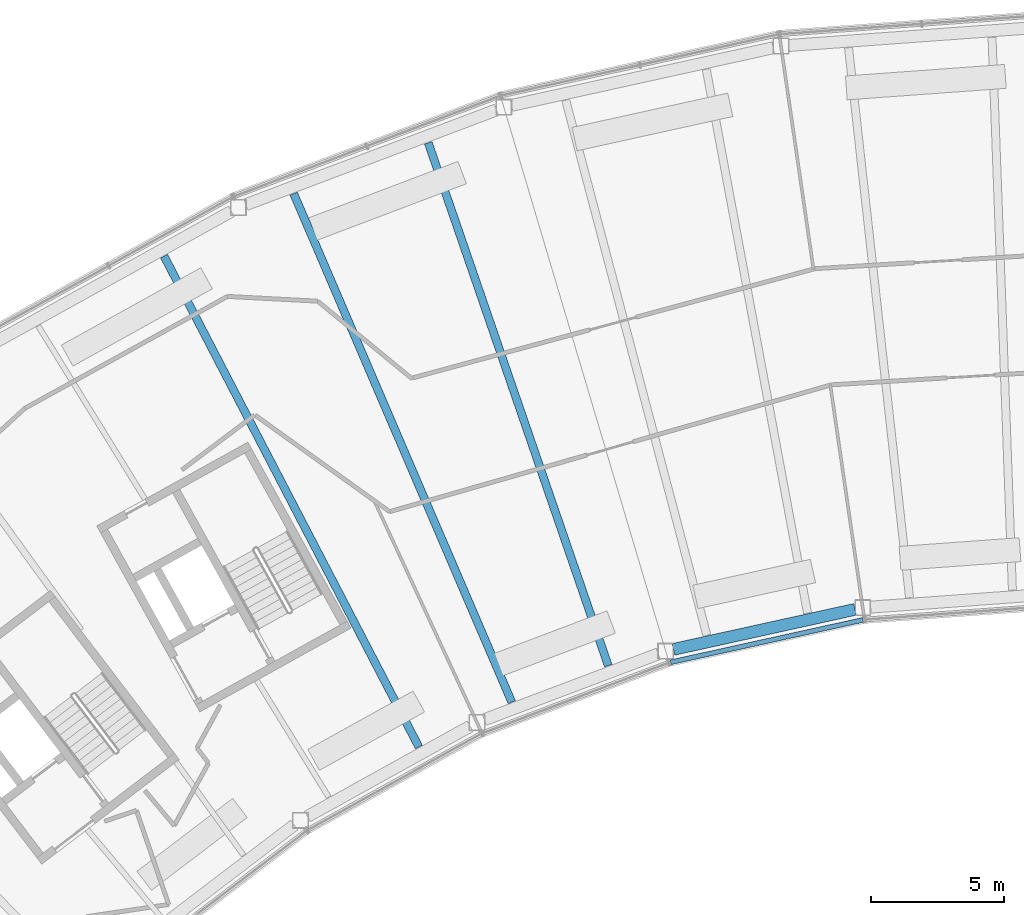
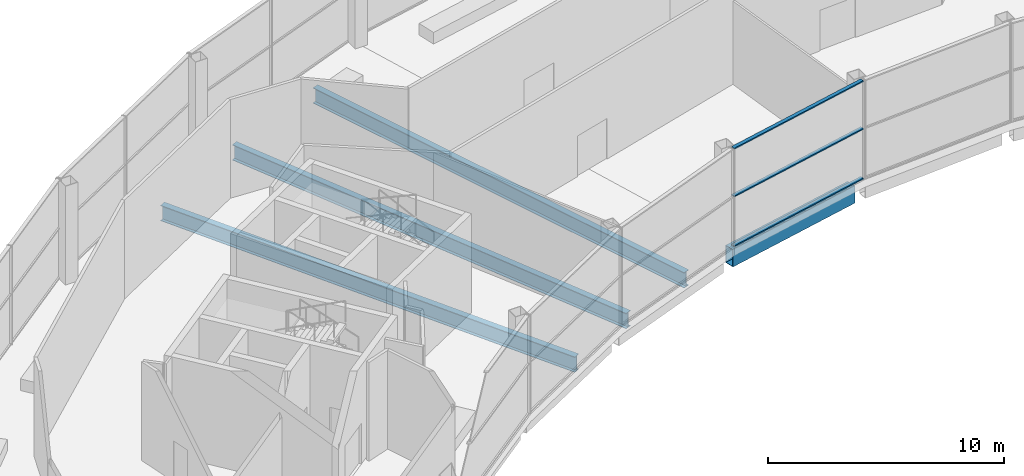
# One storey, part 12 of 43: 4 beams, 3 members, 1 element without a shape of its own.
"""IFC4 building model written with IfcOpenShell, lengths in metres."""

from ifc_helpers import new_model, si_unit, direction, frame, origin, origin_2d, place, context, subcontext, project, spatial, hollow_rectangle, i_section, extrude, material, layer, layer_set, material_profile, profile_set, type_object, element, aggregate, save


model = new_model("IFC4")

# Units and contexts
model_context = context("Model", 3, precision=1e-05, world=origin(), true_north=direction((0.0, 1.0)))
body_context = subcontext(model_context, "Body", "Model", "MODEL_VIEW")
ifc_project = project(units=[si_unit("LENGTHUNIT", "METRE"), si_unit("AREAUNIT", "SQUARE_METRE"), si_unit("VOLUMEUNIT", "CUBIC_METRE"), si_unit("PLANEANGLEUNIT", "RADIAN"), si_unit("MASSUNIT", "GRAM", prefix="KILO")], contexts=[model_context])

# Site, building, storey
site_placement = place(None, origin())
site = spatial("IfcSite", under=ifc_project, at=site_placement, CompositionType="ELEMENT")
building_placement = place(site_placement, origin())
building = spatial("IfcBuilding", under=site, at=building_placement, Name="Tuul Gate Civic Tower", CompositionType="ELEMENT")
storey_placement = place(building_placement, frame((0.0, 0.0, 349.10009765625)))
storey = spatial("IfcBuildingStorey", under=building, at=storey_placement, Name="Observation level 1", CompositionType="ELEMENT", Elevation=349.10009765625)

# Curtain wall, members
ifc_material_1 = material(Name="Stainless steel", Category="steel")
ifc_layer = layer(ifc_material_1, 0.199951171875)
ifc_layer_set = layer_set([ifc_layer], Name="Stainless steel")
curtain_wall_type = type_object("IfcCurtainWallType", Name="Curtain wall CW4", PredefinedType="NOTDEFINED", material=ifc_layer_set)
curtain_wall_placement = place(storey_placement, origin())
curtain_wall = element("IfcCurtainWall", 1, at=curtain_wall_placement, inside=storey, type_object=curtain_wall_type, Name="Curtain wall CW4", PredefinedType="NOTDEFINED")
ifc_material_2 = material(Name="Stainless steel", Category="steel")
ifc_material_profile_1 = material_profile(ifc_material_2, hollow_rectangle(XDim=0.179931640625, YDim=0.06005859375, WallThickness=0.006103515625, at=origin_2d()), Name="CW4 transom")
ifc_profile_set_1 = profile_set([ifc_material_profile_1], Name="Stainless steel")
member_type = type_object("IfcMemberType", Name="CW4 transom", PredefinedType="USERDEFINED", material=ifc_profile_set_1)
member_1_placement = place(storey_placement, frame((-12.6064453125, -10.130126953125, 0.02978515625), z_axis=(0.976559448931, 0.215247863414, 0.0), x_axis=(-0.215247863414, 0.976559448931, 0.0)))
member_1 = element("IfcMember", 2, at=member_1_placement, type_object=member_type, Name="Transom", ObjectType="TRANSOM", PredefinedType="USERDEFINED", context=body_context, shape_type="SweptSolid", body=[
    extrude(hollow_rectangle(XDim=0.179931640625, YDim=0.06005859375, WallThickness=0.006103515625, at=origin_2d()), origin(), (0.0, 0.0, 1.0), 7.406494140625),
])
member_2_placement = place(storey_placement, frame((-12.6064453125, -10.130126953125, 2.599853515625), z_axis=(0.976559448931, 0.215247863414, 0.0), x_axis=(-0.215247863414, 0.976559448931, 0.0)))
member_2 = element("IfcMember", 3, at=member_2_placement, type_object=member_type, Name="Transom", ObjectType="TRANSOM", PredefinedType="USERDEFINED", context=body_context, shape_type="SweptSolid", body=[
    extrude(hollow_rectangle(XDim=0.179931640625, YDim=0.06005859375, WallThickness=0.006103515625, at=origin_2d()), origin(), (0.0, 0.0, 1.0), 7.406494140625),
])
member_3_placement = place(storey_placement, frame((-12.6064453125, -10.130126953125, 5.06982421875), z_axis=(0.976559448931, 0.215247863414, 0.0), x_axis=(-0.215247863414, 0.976559448931, 0.0)))
member_3 = element("IfcMember", 4, at=member_3_placement, type_object=member_type, Name="Transom", ObjectType="TRANSOM", PredefinedType="USERDEFINED", context=body_context, shape_type="SweptSolid", body=[
    extrude(hollow_rectangle(XDim=0.179931640625, YDim=0.06005859375, WallThickness=0.006103515625, at=origin_2d()), origin(), (0.0, 0.0, 1.0), 7.406494140625),
])
aggregate(curtain_wall, [member_1, member_2, member_3])

# Beams
ifc_material_3 = material(Name="Steel S355", Category="steel")
ifc_material_profile_2 = material_profile(ifc_material_3, i_section(OverallWidth=0.300048828125, OverallDepth=0.800048828125, WebThickness=0.013916015625, FlangeThickness=0.02490234375, at=origin_2d()), Name="PG800x300x14x25")
ifc_profile_set_2 = profile_set([ifc_material_profile_2], Name="Steel S355")
beam_type_1 = type_object("IfcBeamType", Name="STR-FLOOR BEAM-PG800x300x14x25", PredefinedType="BEAM", material=ifc_profile_set_2)
beam_1_placement = place(storey_placement, frame((-14.954345703125, -10.259765625, -0.800048828125), z_axis=(-0.325483706592, 0.945547649113, 0.0), x_axis=(-0.945547649113, -0.325483706592, 0.0)))
element("IfcBeam", 5, at=beam_1_placement, inside=storey, type_object=beam_type_1, Name="Floor beam", PredefinedType="BEAM", context=body_context, shape_type="SweptSolid", body=[
    extrude(i_section(OverallWidth=0.300048828125, OverallDepth=0.800048828125, WebThickness=0.013916015625, FlangeThickness=0.02490234375, at=origin_2d()), origin(), (0.0, 0.0, 1.0), 20.808837890625),
])
beam_2_placement = place(storey_placement, frame((-18.58447265625, -11.633056640625, -0.800048828125), z_axis=(-0.39419807985, 0.919025502281, 0.0), x_axis=(-0.919025502281, -0.39419807985, 0.0)))
element("IfcBeam", 6, at=beam_2_placement, inside=storey, type_object=beam_type_1, Name="Floor beam", PredefinedType="BEAM", context=body_context, shape_type="SweptSolid", body=[
    extrude(i_section(OverallWidth=0.300048828125, OverallDepth=0.800048828125, WebThickness=0.013916015625, FlangeThickness=0.02490234375, at=origin_2d()), origin(), (0.0, 0.0, 1.0), 20.820068359375),
])
beam_3_placement = place(storey_placement, frame((-22.079345703125, -13.32080078125, -0.800048828125), z_axis=(-0.46076746296, 0.887520898389, 0.0), x_axis=(-0.887520898389, -0.46076746296, 0.0)))
element("IfcBeam", 7, at=beam_3_placement, inside=storey, type_object=beam_type_1, Name="Floor beam", PredefinedType="BEAM", context=body_context, shape_type="SweptSolid", body=[
    extrude(i_section(OverallWidth=0.300048828125, OverallDepth=0.800048828125, WebThickness=0.013916015625, FlangeThickness=0.02490234375, at=origin_2d()), origin(), (0.0, 0.0, 1.0), 20.80810546875),
])
ifc_material_4 = material(Name="Steel S355", Category="steel")
ifc_material_profile_3 = material_profile(ifc_material_4, hollow_rectangle(XDim=0.449951171875, YDim=0.89990234375, WallThickness=0.02490234375, at=origin_2d()), Name="BOX900x450x25")
ifc_profile_set_3 = profile_set([ifc_material_profile_3], Name="Steel S355")
beam_type_2 = type_object("IfcBeamType", Name="STR-SPANDREL BEAM-BOX900x450x25", PredefinedType="BEAM", material=ifc_profile_set_3)
beam_4_placement = place(storey_placement, frame((-12.5009765625, -9.6455078125, -0.85009765625), z_axis=(0.976591238289, 0.215103587366, 0.0), x_axis=(-0.215103587366, 0.976591238289, 0.0)))
element("IfcBeam", 8, at=beam_4_placement, inside=storey, type_object=beam_type_2, Name="Spandrel beam", PredefinedType="BEAM", context=body_context, shape_type="SweptSolid", body=[
    extrude(hollow_rectangle(XDim=0.449951171875, YDim=0.89990234375, WallThickness=0.02490234375, at=origin_2d()), origin(), (0.0, 0.0, 1.0), 6.991455078125),
])

save(model, "model.ifc")
